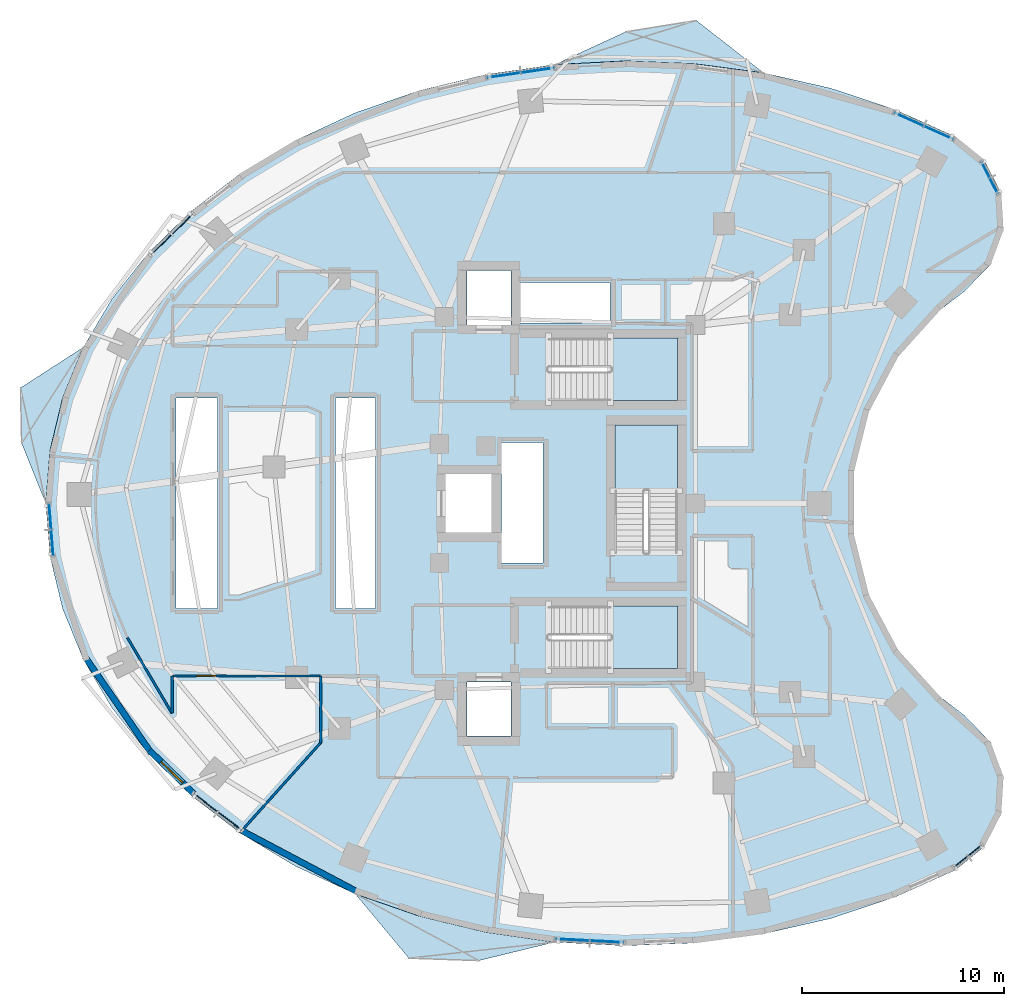
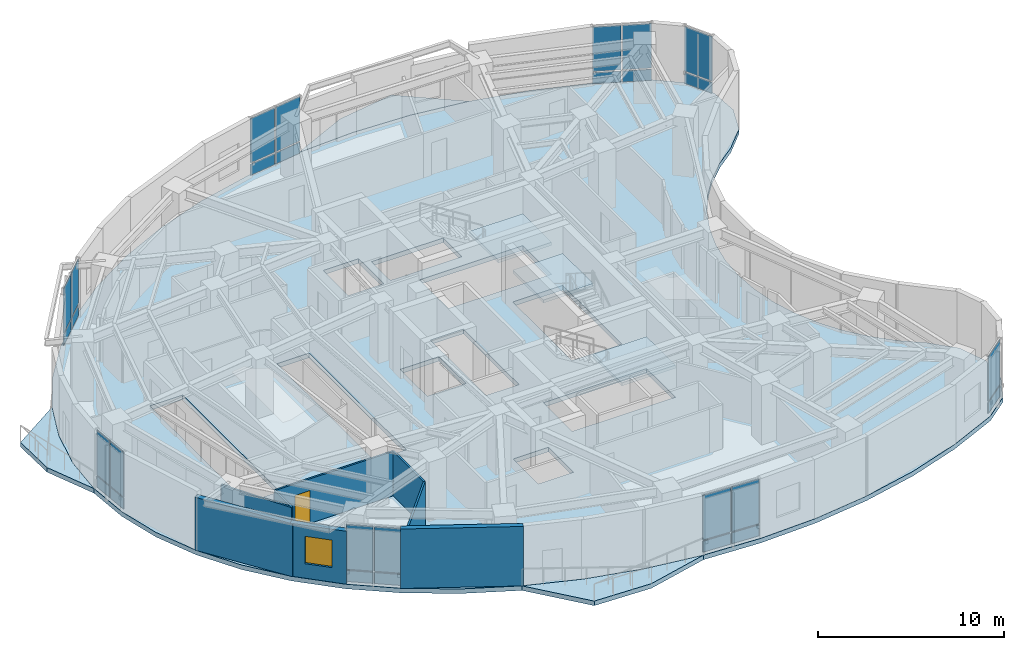
# One storey, part 7 of 15: 28 plates, 8 walls, 7 slabs, 1 door, 1 window, 2 openings, 11 elements without a shape of their own.
"""IFC4 building model written with IfcOpenShell, lengths in metres."""

from ifc_helpers import new_model, si_unit, direction, frame, frame_2d, origin, origin_2d, place, context, subcontext, project, spatial, polyline, rectangle, outline, extrude, material, layer, layer_set, type_object, element, fill, aggregate, save


model = new_model("IFC4")

# Units and contexts
model_context = context("Model", 3, precision=1e-05, world=origin(), true_north=direction((0.0, 1.0)))
body_context = subcontext(model_context, "Body", "Model", "MODEL_VIEW")
ifc_project = project(units=[si_unit("LENGTHUNIT", "METRE"), si_unit("AREAUNIT", "SQUARE_METRE"), si_unit("VOLUMEUNIT", "CUBIC_METRE"), si_unit("PLANEANGLEUNIT", "RADIAN"), si_unit("MASSUNIT", "GRAM", prefix="KILO")], contexts=[model_context])

# Site, building, storey
site_placement = place(None, origin())
site = spatial("IfcSite", under=ifc_project, at=site_placement, CompositionType="ELEMENT")
building_placement = place(site_placement, origin())
building = spatial("IfcBuilding", under=site, at=building_placement, Name="Korentha Bioscience Tower", CompositionType="ELEMENT")
storey_placement = place(building_placement, frame((0.0, 0.0, 94.199951171875)))
storey = spatial("IfcBuildingStorey", under=building, at=storey_placement, Name="L21", CompositionType="ELEMENT", Elevation=94.199951171875)

# Curtain wall, plates
ifc_material_1 = material(Name="Thermally Broken Aluminium Frame", Category="aluminium")
ifc_layer_1 = layer(ifc_material_1, 0.219970703125, Name="Thermally Broken Aluminium Frame")
ifc_layer_set_1 = layer_set([ifc_layer_1], Name="Thermally Broken Aluminium Frame (CW-T2)")
curtain_wall_type = type_object("IfcCurtainWallType", Name="Solar-Screened Lab Unitised Curtain Wall CW-T2", PredefinedType="USERDEFINED", material=ifc_layer_set_1)
curtain_wall_1_placement = place(storey_placement, origin())
curtain_wall_1 = element("IfcCurtainWall", 1, at=curtain_wall_1_placement, inside=storey, type_object=curtain_wall_type, Name="L21 Curtain Wall 01", ObjectType="UNITISED", PredefinedType="USERDEFINED")
ifc_material_2 = material(Name="Triple-Glazed Low-E Insulated Glass", Category="glass")
ifc_layer_2 = layer(ifc_material_2, 0.0439453125, Name="Triple-Glazed Low-E Insulated Glass")
ifc_layer_set_2 = layer_set([ifc_layer_2], Name="Triple-Glazed Low-E Insulated Glass (GL-44)")
plate_type = type_object("IfcPlateType", Name="Glazed Panel 44mm", PredefinedType="CURTAIN_PANEL", material=ifc_layer_set_2)
plate_1_placement = place(storey_placement, frame((49.61767578125, 45.385986328125, 0.08984375), z_axis=(0.0, 0.0, 1.0), x_axis=(-0.912686563127, 0.408660295952, 0.0)))
plate_1 = element("IfcPlate", 2, at=plate_1_placement, type_object=plate_type, Name="CW-L21-01 Bay 1 Glazed Panel 1", PredefinedType="CURTAIN_PANEL", context=body_context, shape_type="SweptSolid", body=[
    extrude(rectangle(XDim=1.54541015625, YDim=0.0439453125, at=origin_2d()), origin(), (0.0, 0.0, 1.0), 0.715087890625),
])
plate_2_placement = place(storey_placement, frame((49.61767578125, 45.385986328125, 0.89501953125), z_axis=(0.0, 0.0, 1.0), x_axis=(-0.912686563127, 0.408660295952, 0.0)))
plate_2 = element("IfcPlate", 3, at=plate_2_placement, type_object=plate_type, Name="CW-L21-01 Bay 1 Glazed Panel 2", PredefinedType="CURTAIN_PANEL", context=body_context, shape_type="SweptSolid", body=[
    extrude(rectangle(XDim=1.54541015625, YDim=0.0439453125, at=origin_2d()), origin(), (0.0, 0.0, 1.0), 2.9150390625),
])
plate_3_placement = place(storey_placement, frame((48.125, 46.05419921875, 0.08984375), z_axis=(0.0, 0.0, 1.0), x_axis=(-0.912686563127, 0.408660295952, 0.0)))
plate_3 = element("IfcPlate", 4, at=plate_3_placement, type_object=plate_type, Name="CW-L21-01 Bay 2 Glazed Panel 1", PredefinedType="CURTAIN_PANEL", context=body_context, shape_type="SweptSolid", body=[
    extrude(rectangle(XDim=1.54541015625, YDim=0.0439453125, at=origin_2d()), origin(), (0.0, 0.0, 1.0), 0.715087890625),
])
plate_4_placement = place(storey_placement, frame((48.125, 46.05419921875, 0.89501953125), z_axis=(0.0, 0.0, 1.0), x_axis=(-0.912686563127, 0.408660295952, 0.0)))
plate_4 = element("IfcPlate", 5, at=plate_4_placement, type_object=plate_type, Name="CW-L21-01 Bay 2 Glazed Panel 2", PredefinedType="CURTAIN_PANEL", context=body_context, shape_type="SweptSolid", body=[
    extrude(rectangle(XDim=1.54541015625, YDim=0.0439453125, at=origin_2d()), origin(), (0.0, 0.0, 1.0), 2.9150390625),
])
aggregate(curtain_wall_1, [plate_1, plate_2, plate_3, plate_4])

curtain_wall_2_placement = place(storey_placement, origin())
curtain_wall_2 = element("IfcCurtainWall", 6, at=curtain_wall_2_placement, inside=storey, type_object=curtain_wall_type, Name="L21 Curtain Wall 07", ObjectType="UNITISED", PredefinedType="USERDEFINED")
plate_5_placement = place(storey_placement, frame((29.724853515625, 48.486328125, 0.08984375), z_axis=(0.0, 0.0, 1.0), x_axis=(-0.989738282326, -0.14289203091, 0.0)))
plate_5 = element("IfcPlate", 7, at=plate_5_placement, type_object=plate_type, Name="CW-L21-07 Bay 1 Glazed Panel 1", PredefinedType="CURTAIN_PANEL", context=body_context, shape_type="SweptSolid", body=[
    extrude(rectangle(XDim=1.630615234375, YDim=0.0439453125, at=origin_2d()), origin(), (0.0, 0.0, 1.0), 0.715087890625),
])
plate_6_placement = place(storey_placement, frame((29.724853515625, 48.486328125, 0.89501953125), z_axis=(0.0, 0.0, 1.0), x_axis=(-0.989738282326, -0.14289203091, 0.0)))
plate_6 = element("IfcPlate", 8, at=plate_6_placement, type_object=plate_type, Name="CW-L21-07 Bay 1 Glazed Panel 2", PredefinedType="CURTAIN_PANEL", context=body_context, shape_type="SweptSolid", body=[
    extrude(rectangle(XDim=1.630615234375, YDim=0.0439453125, at=origin_2d()), origin(), (0.0, 0.0, 1.0), 2.9150390625),
])
plate_7_placement = place(storey_placement, frame((28.021728515625, 48.240478515625, 0.08984375), z_axis=(0.0, 0.0, 1.0), x_axis=(-0.989738282326, -0.14289203091, 0.0)))
plate_7 = element("IfcPlate", 9, at=plate_7_placement, type_object=plate_type, Name="CW-L21-07 Bay 2 Glazed Panel 1", PredefinedType="CURTAIN_PANEL", context=body_context, shape_type="SweptSolid", body=[
    extrude(rectangle(XDim=1.630615234375, YDim=0.0439453125, at=origin_2d()), origin(), (0.0, 0.0, 1.0), 0.715087890625),
])
plate_8_placement = place(storey_placement, frame((28.021728515625, 48.240478515625, 0.89501953125), z_axis=(0.0, 0.0, 1.0), x_axis=(-0.989738282326, -0.14289203091, 0.0)))
plate_8 = element("IfcPlate", 10, at=plate_8_placement, type_object=plate_type, Name="CW-L21-07 Bay 2 Glazed Panel 2", PredefinedType="CURTAIN_PANEL", context=body_context, shape_type="SweptSolid", body=[
    extrude(rectangle(XDim=1.630615234375, YDim=0.0439453125, at=origin_2d()), origin(), (0.0, 0.0, 1.0), 2.9150390625),
])
aggregate(curtain_wall_2, [plate_5, plate_6, plate_7, plate_8])

curtain_wall_3_placement = place(storey_placement, origin())
curtain_wall_3 = element("IfcCurtainWall", 11, at=curtain_wall_3_placement, inside=storey, type_object=curtain_wall_type, Name="L21 Curtain Wall 13", ObjectType="UNITISED", PredefinedType="USERDEFINED")
plate_9_placement = place(storey_placement, frame((12.09912109375, 40.858642578125, 0.08984375), z_axis=(0.0, 0.0, 1.0), x_axis=(-0.716095631804, -0.698002182025, 0.0)))
plate_9 = element("IfcPlate", 12, at=plate_9_placement, type_object=plate_type, Name="CW-L21-13 Bay 1 Glazed Panel 1", PredefinedType="CURTAIN_PANEL", context=body_context, shape_type="SweptSolid", body=[
    extrude(rectangle(XDim=1.39599609375, YDim=0.0439453125, at=origin_2d()), origin(), (0.0, 0.0, 1.0), 0.715087890625),
])
plate_10_placement = place(storey_placement, frame((12.09912109375, 40.858642578125, 0.89501953125), z_axis=(0.0, 0.0, 1.0), x_axis=(-0.716095631804, -0.698002182025, 0.0)))
plate_10 = element("IfcPlate", 13, at=plate_10_placement, type_object=plate_type, Name="CW-L21-13 Bay 1 Glazed Panel 2", PredefinedType="CURTAIN_PANEL", context=body_context, shape_type="SweptSolid", body=[
    extrude(rectangle(XDim=1.39599609375, YDim=0.0439453125, at=origin_2d()), origin(), (0.0, 0.0, 1.0), 2.9150390625),
])
plate_11_placement = place(storey_placement, frame((11.034912109375, 39.8212890625, 0.08984375), z_axis=(0.0, 0.0, 1.0), x_axis=(-0.716095631804, -0.698002182025, 0.0)))
plate_11 = element("IfcPlate", 14, at=plate_11_placement, type_object=plate_type, Name="CW-L21-13 Bay 2 Glazed Panel 1", PredefinedType="CURTAIN_PANEL", context=body_context, shape_type="SweptSolid", body=[
    extrude(rectangle(XDim=1.39599609375, YDim=0.0439453125, at=origin_2d()), origin(), (0.0, 0.0, 1.0), 0.715087890625),
])
plate_12_placement = place(storey_placement, frame((11.034912109375, 39.8212890625, 0.89501953125), z_axis=(0.0, 0.0, 1.0), x_axis=(-0.716095631804, -0.698002182025, 0.0)))
plate_12 = element("IfcPlate", 15, at=plate_12_placement, type_object=plate_type, Name="CW-L21-13 Bay 2 Glazed Panel 2", PredefinedType="CURTAIN_PANEL", context=body_context, shape_type="SweptSolid", body=[
    extrude(rectangle(XDim=1.39599609375, YDim=0.0439453125, at=origin_2d()), origin(), (0.0, 0.0, 1.0), 2.9150390625),
])
aggregate(curtain_wall_3, [plate_9, plate_10, plate_11, plate_12])

curtain_wall_4_placement = place(storey_placement, origin())
curtain_wall_4 = element("IfcCurtainWall", 16, at=curtain_wall_4_placement, inside=storey, type_object=curtain_wall_type, Name="L21 Curtain Wall 19", ObjectType="UNITISED", PredefinedType="USERDEFINED")
plate_13_placement = place(storey_placement, frame((5.52587890625, 26.35205078125, 0.08984375), z_axis=(0.0, 0.0, 1.0), x_axis=(0.079130214674, -0.996864288219, 0.0)))
plate_13 = element("IfcPlate", 17, at=plate_13_placement, type_object=plate_type, Name="CW-L21-19 Bay 1 Glazed Panel 1", PredefinedType="CURTAIN_PANEL", context=body_context, shape_type="SweptSolid", body=[
    extrude(rectangle(XDim=1.225341796875, YDim=0.0439453125, at=origin_2d()), origin(), (0.0, 0.0, 1.0), 0.715087890625),
])
plate_14_placement = place(storey_placement, frame((5.52587890625, 26.35205078125, 0.89501953125), z_axis=(0.0, 0.0, 1.0), x_axis=(0.079130214674, -0.996864288219, 0.0)))
plate_14 = element("IfcPlate", 18, at=plate_14_placement, type_object=plate_type, Name="CW-L21-19 Bay 1 Glazed Panel 2", PredefinedType="CURTAIN_PANEL", context=body_context, shape_type="SweptSolid", body=[
    extrude(rectangle(XDim=1.225341796875, YDim=0.0439453125, at=origin_2d()), origin(), (0.0, 0.0, 1.0), 2.9150390625),
])
plate_15_placement = place(storey_placement, frame((5.6298828125, 25.040771484375, 0.08984375), z_axis=(0.0, 0.0, 1.0), x_axis=(0.079130214674, -0.996864288219, 0.0)))
plate_15 = element("IfcPlate", 19, at=plate_15_placement, type_object=plate_type, Name="CW-L21-19 Bay 2 Glazed Panel 1", PredefinedType="CURTAIN_PANEL", context=body_context, shape_type="SweptSolid", body=[
    extrude(rectangle(XDim=1.225341796875, YDim=0.0439453125, at=origin_2d()), origin(), (0.0, 0.0, 1.0), 0.715087890625),
])
plate_16_placement = place(storey_placement, frame((5.6298828125, 25.040771484375, 0.89501953125), z_axis=(0.0, 0.0, 1.0), x_axis=(0.079130214674, -0.996864288219, 0.0)))
plate_16 = element("IfcPlate", 20, at=plate_16_placement, type_object=plate_type, Name="CW-L21-19 Bay 2 Glazed Panel 2", PredefinedType="CURTAIN_PANEL", context=body_context, shape_type="SweptSolid", body=[
    extrude(rectangle(XDim=1.225341796875, YDim=0.0439453125, at=origin_2d()), origin(), (0.0, 0.0, 1.0), 2.9150390625),
])
aggregate(curtain_wall_4, [plate_13, plate_14, plate_15, plate_16])

curtain_wall_5_placement = place(storey_placement, origin())
curtain_wall_5 = element("IfcCurtainWall", 21, at=curtain_wall_5_placement, inside=storey, type_object=curtain_wall_type, Name="L21 Curtain Wall 25", ObjectType="UNITISED", PredefinedType="USERDEFINED")
plate_17_placement = place(storey_placement, frame((13.234619140625, 12.162353515625, 0.08984375), z_axis=(0.0, 0.0, 1.0), x_axis=(0.794499603893, -0.607264669986, 0.0)))
plate_17 = element("IfcPlate", 22, at=plate_17_placement, type_object=plate_type, Name="CW-L21-25 Bay 1 Glazed Panel 1", PredefinedType="CURTAIN_PANEL", context=body_context, shape_type="SweptSolid", body=[
    extrude(rectangle(XDim=1.4462890625, YDim=0.0439453125, at=origin_2d()), origin(), (0.0, 0.0, 1.0), 0.715087890625),
])
plate_18_placement = place(storey_placement, frame((13.234619140625, 12.162353515625, 0.89501953125), z_axis=(0.0, 0.0, 1.0), x_axis=(0.794499603893, -0.607264669986, 0.0)))
plate_18 = element("IfcPlate", 23, at=plate_18_placement, type_object=plate_type, Name="CW-L21-25 Bay 1 Glazed Panel 2", PredefinedType="CURTAIN_PANEL", context=body_context, shape_type="SweptSolid", body=[
    extrude(rectangle(XDim=1.4462890625, YDim=0.0439453125, at=origin_2d()), origin(), (0.0, 0.0, 1.0), 2.9150390625),
])
plate_19_placement = place(storey_placement, frame((14.455078125, 11.229248046875, 0.08984375), z_axis=(0.0, 0.0, 1.0), x_axis=(0.794499603893, -0.607264669986, 0.0)))
plate_19 = element("IfcPlate", 24, at=plate_19_placement, type_object=plate_type, Name="CW-L21-25 Bay 2 Glazed Panel 1", PredefinedType="CURTAIN_PANEL", context=body_context, shape_type="SweptSolid", body=[
    extrude(rectangle(XDim=1.4462890625, YDim=0.0439453125, at=origin_2d()), origin(), (0.0, 0.0, 1.0), 0.715087890625),
])
plate_20_placement = place(storey_placement, frame((14.455078125, 11.229248046875, 0.89501953125), z_axis=(0.0, 0.0, 1.0), x_axis=(0.794499603893, -0.607264669986, 0.0)))
plate_20 = element("IfcPlate", 25, at=plate_20_placement, type_object=plate_type, Name="CW-L21-25 Bay 2 Glazed Panel 2", PredefinedType="CURTAIN_PANEL", context=body_context, shape_type="SweptSolid", body=[
    extrude(rectangle(XDim=1.4462890625, YDim=0.0439453125, at=origin_2d()), origin(), (0.0, 0.0, 1.0), 2.9150390625),
])
aggregate(curtain_wall_5, [plate_17, plate_18, plate_19, plate_20])

curtain_wall_6_placement = place(storey_placement, origin())
curtain_wall_6 = element("IfcCurtainWall", 26, at=curtain_wall_6_placement, inside=storey, type_object=curtain_wall_type, Name="L21 Curtain Wall 31", ObjectType="UNITISED", PredefinedType="USERDEFINED")
plate_21_placement = place(storey_placement, frame((31.436279296875, 5.346435546875, 0.08984375), z_axis=(0.0, 0.0, 1.0), x_axis=(0.998673231344, -0.051495407527, 0.0)))
plate_21 = element("IfcPlate", 27, at=plate_21_placement, type_object=plate_type, Name="CW-L21-31 Bay 1 Glazed Panel 1", PredefinedType="CURTAIN_PANEL", context=body_context, shape_type="SweptSolid", body=[
    extrude(rectangle(XDim=1.641845703125, YDim=0.0439453125, at=origin_2d()), origin(), (0.0, 0.0, 1.0), 0.715087890625),
])
plate_22_placement = place(storey_placement, frame((31.436279296875, 5.346435546875, 0.89501953125), z_axis=(0.0, 0.0, 1.0), x_axis=(0.998673231344, -0.051495407527, 0.0)))
plate_22 = element("IfcPlate", 28, at=plate_22_placement, type_object=plate_type, Name="CW-L21-31 Bay 1 Glazed Panel 2", PredefinedType="CURTAIN_PANEL", context=body_context, shape_type="SweptSolid", body=[
    extrude(rectangle(XDim=1.641845703125, YDim=0.0439453125, at=origin_2d()), origin(), (0.0, 0.0, 1.0), 2.9150390625),
])
plate_23_placement = place(storey_placement, frame((33.166015625, 5.25732421875, 0.08984375), z_axis=(0.0, 0.0, 1.0), x_axis=(0.998673231344, -0.051495407527, 0.0)))
plate_23 = element("IfcPlate", 29, at=plate_23_placement, type_object=plate_type, Name="CW-L21-31 Bay 2 Glazed Panel 1", PredefinedType="CURTAIN_PANEL", context=body_context, shape_type="SweptSolid", body=[
    extrude(rectangle(XDim=1.641845703125, YDim=0.0439453125, at=origin_2d()), origin(), (0.0, 0.0, 1.0), 0.715087890625),
])
plate_24_placement = place(storey_placement, frame((33.166015625, 5.25732421875, 0.89501953125), z_axis=(0.0, 0.0, 1.0), x_axis=(0.998673231344, -0.051495407527, 0.0)))
plate_24 = element("IfcPlate", 30, at=plate_24_placement, type_object=plate_type, Name="CW-L21-31 Bay 2 Glazed Panel 2", PredefinedType="CURTAIN_PANEL", context=body_context, shape_type="SweptSolid", body=[
    extrude(rectangle(XDim=1.641845703125, YDim=0.0439453125, at=origin_2d()), origin(), (0.0, 0.0, 1.0), 2.9150390625),
])
aggregate(curtain_wall_6, [plate_21, plate_22, plate_23, plate_24])

curtain_wall_7_placement = place(storey_placement, origin())
curtain_wall_7 = element("IfcCurtainWall", 31, at=curtain_wall_7_placement, inside=storey, type_object=curtain_wall_type, Name="L21 Curtain Wall 37", ObjectType="UNITISED", PredefinedType="USERDEFINED")
plate_25_placement = place(storey_placement, frame((51.04736328125, 9.506591796875, 0.08984375), z_axis=(0.0, 0.0, 1.0), x_axis=(0.777315301098, 0.629111216463, 0.0)))
plate_25 = element("IfcPlate", 32, at=plate_25_placement, type_object=plate_type, Name="CW-L21-37 Bay 1 Glazed Panel 1", PredefinedType="CURTAIN_PANEL", context=body_context, shape_type="SweptSolid", body=[
    extrude(rectangle(XDim=1.737548828125, YDim=0.0439453125, at=origin_2d()), origin(), (0.0, 0.0, 1.0), 0.715087890625),
])
plate_26_placement = place(storey_placement, frame((51.04736328125, 9.506591796875, 0.89501953125), z_axis=(0.0, 0.0, 1.0), x_axis=(0.777315301098, 0.629111216463, 0.0)))
plate_26 = element("IfcPlate", 33, at=plate_26_placement, type_object=plate_type, Name="CW-L21-37 Bay 1 Glazed Panel 2", PredefinedType="CURTAIN_PANEL", context=body_context, shape_type="SweptSolid", body=[
    extrude(rectangle(XDim=1.737548828125, YDim=0.0439453125, at=origin_2d()), origin(), (0.0, 0.0, 1.0), 2.9150390625),
])
aggregate(curtain_wall_7, [plate_25, plate_26])

curtain_wall_8_placement = place(storey_placement, origin())
curtain_wall_8 = element("IfcCurtainWall", 34, at=curtain_wall_8_placement, inside=storey, type_object=curtain_wall_type, Name="L21 Curtain Wall 61", ObjectType="UNITISED", PredefinedType="USERDEFINED")
plate_27_placement = place(storey_placement, frame((52.140380859375, 43.149658203125, 0.08984375), z_axis=(0.0, 0.0, 1.0), x_axis=(-0.457613117169, 0.889151412862, 0.0)))
plate_27 = element("IfcPlate", 35, at=plate_27_placement, type_object=plate_type, Name="CW-L21-61 Bay 1 Glazed Panel 1", PredefinedType="CURTAIN_PANEL", context=body_context, shape_type="SweptSolid", body=[
    extrude(rectangle(XDim=1.737548828125, YDim=0.0439453125, at=origin_2d()), origin(), (0.0, 0.0, 1.0), 0.715087890625),
])
plate_28_placement = place(storey_placement, frame((52.140380859375, 43.149658203125, 0.89501953125), z_axis=(0.0, 0.0, 1.0), x_axis=(-0.457613117169, 0.889151412862, 0.0)))
plate_28 = element("IfcPlate", 36, at=plate_28_placement, type_object=plate_type, Name="CW-L21-61 Bay 1 Glazed Panel 2", PredefinedType="CURTAIN_PANEL", context=body_context, shape_type="SweptSolid", body=[
    extrude(rectangle(XDim=1.737548828125, YDim=0.0439453125, at=origin_2d()), origin(), (0.0, 0.0, 1.0), 2.9150390625),
])
aggregate(curtain_wall_8, [plate_27, plate_28])

# Slab
ifc_material_3 = material(Name="Concrete C50", Category="concrete")
ifc_layer_3 = layer(ifc_material_3, 0.300048828125, Name="Concrete C50")
ifc_layer_set_3 = layer_set([ifc_layer_3], Name="Concrete C50 (SL-L300)")
slab_type_1 = type_object("IfcSlabType", Name="Laboratory Vibration-Controlled Slab 300", PredefinedType="FLOOR", material=ifc_layer_set_3)
slab_1_placement = place(storey_placement, frame((0.0, 0.0, -0.300048828125)))
element("IfcSlab", 37, at=slab_1_placement, inside=storey, type_object=slab_type_1, Name="L21 Tower Structural Floor Slab", PredefinedType="FLOOR", context=body_context, shape_type="SweptSolid", body=[
    extrude(outline(polyline([(50.433837890625, 45.19580078125), (47.439697265625, 46.53662109375), (44.2548828125, 47.59521484375), (40.925537109375, 48.3564453125), (37.5, 48.809326171875), (34.027587890625, 48.947265625), (30.558349609375, 48.7685546875), (27.142333984375, 48.275390625), (23.8291015625, 47.474853515625), (20.66650390625, 46.37890625), (17.69970703125, 45.003173828125), (14.972412109375, 43.367431640625), (12.52294921875, 41.495361328125), (10.3876953125, 39.413818359375), (8.5966796875, 37.1533203125), (7.17626953125, 34.74609375), (6.146484375, 32.22705078125), (5.52294921875, 29.632568359375), (5.31396484375, 27.0), (5.52294921875, 24.367431640625), (6.146484375, 21.77294921875), (7.17626953125, 19.25390625), (8.5966796875, 16.8466796875), (10.3876953125, 14.586181640625), (12.52294921875, 12.504638671875), (14.972412109375, 10.632568359375), (17.69970703125, 8.996826171875), (20.66650390625, 7.62109375), (23.8291015625, 6.525146484375), (27.142333984375, 5.724609375), (30.558349609375, 5.2314453125), (34.027587890625, 5.052734375), (37.5, 5.190673828125), (40.925537109375, 5.6435546875), (44.2548828125, 6.40478515625), (47.439697265625, 7.46337890625), (50.433837890625, 8.80419921875), (51.8623046875, 9.960205078125), (52.703125, 11.593994140625), (52.813720703125, 13.42822265625), (52.175537109375, 15.1513671875), (50.896484375, 16.470703125), (49.666259765625, 17.414794921875), (48.560302734375, 18.501708984375), (47.594970703125, 19.715087890625), (46.78466796875, 21.037353515625), (46.1416015625, 22.448486328125), (45.67529296875, 23.927490234375), (45.392578125, 25.4521484375), (45.298095703125, 27.0), (45.392578125, 28.5478515625), (45.67529296875, 30.072509765625), (46.1416015625, 31.551513671875), (46.78466796875, 32.962646484375), (47.594970703125, 34.284912109375), (48.560302734375, 35.498291015625), (49.666259765625, 36.585205078125), (50.896484375, 37.529296875), (52.175537109375, 38.8486328125), (52.813720703125, 40.57177734375), (52.703125, 42.406005859375), (51.8623046875, 44.039794921875), (50.433837890625, 45.19580078125)]), holes=[polyline([(30.25, 32.10009765625), (36.64990234375, 32.10009765625), (36.64990234375, 35.199951171875), (30.25, 35.199951171875), (30.25, 32.10009765625)]), polyline([(30.25, 18.800048828125), (36.64990234375, 18.800048828125), (36.64990234375, 21.89990234375), (30.25, 21.89990234375), (30.25, 18.800048828125)]), polyline([(36.64990234375, 24.550048828125), (36.64990234375, 30.89990234375), (33.550048828125, 30.89990234375), (33.550048828125, 24.550048828125), (36.64990234375, 24.550048828125)]), polyline([(11.780029296875, 21.780029296875), (13.820068359375, 21.780029296875), (13.820068359375, 32.219970703125), (11.780029296875, 32.219970703125), (11.780029296875, 21.780029296875)]), polyline([(19.679931640625, 21.780029296875), (21.669921875, 21.780029296875), (21.669921875, 32.219970703125), (19.679931640625, 32.219970703125), (19.679931640625, 21.780029296875)]), polyline([(27.929931640625, 24.030029296875), (29.969970703125, 24.030029296875), (29.969970703125, 30.02001953125), (27.929931640625, 30.02001953125), (27.929931640625, 24.030029296875)]), polyline([(28.860107421875, 35.93994140625), (33.31005859375, 35.93994140625), (33.31005859375, 37.9599609375), (28.860107421875, 37.9599609375), (28.860107421875, 35.93994140625)]), polyline([(26.199951171875, 15.449951171875), (28.39990234375, 15.449951171875), (28.39990234375, 18.14990234375), (26.199951171875, 18.14990234375), (26.199951171875, 15.449951171875)]), polyline([(26.199951171875, 35.85009765625), (28.39990234375, 35.85009765625), (28.39990234375, 38.550048828125), (26.199951171875, 38.550048828125), (26.199951171875, 35.85009765625)]), polyline([(25.14990234375, 25.550048828125), (27.550048828125, 25.550048828125), (27.550048828125, 28.449951171875), (25.14990234375, 28.449951171875), (25.14990234375, 25.550048828125)])]), origin(), (0.0, 0.0, 1.0), 0.300048828125),
])

# Stair, slab
ifc_material_4 = material(Name="Precast Concrete C50", Category="concrete")
stair_type = type_object("IfcStairType", Name="Core Exit Dog-Leg Stair 1450", PredefinedType="HALF_TURN_STAIR", material=ifc_material_4)
stair_1_placement = place(storey_placement, origin())
stair_1 = element("IfcStair", 38, at=stair_1_placement, inside=storey, type_object=stair_type, Name="L21 Tower North Pressurized Exit Stair ST-1", PredefinedType="HALF_TURN_STAIR")
ifc_layer_4 = layer(ifc_material_3, 0.199951171875, Name="Concrete C50")
ifc_layer_set_4 = layer_set([ifc_layer_4], Name="Concrete C50 (SL-LND)")
slab_type_2 = type_object("IfcSlabType", Name="Landing Slab 200", PredefinedType="LANDING", material=ifc_layer_set_4)
slab_2_placement = place(storey_placement, frame((0.0, 0.0, 1.900146484375)))
slab_2 = element("IfcSlab", 39, at=slab_2_placement, type_object=slab_type_2, Name="ST-1 landing 1", PredefinedType="LANDING", context=body_context, shape_type="SweptSolid", body=[
    extrude(outline(polyline([(33.330078125, 32.10009765625), (36.64990234375, 32.10009765625), (36.64990234375, 35.199951171875), (33.330078125, 35.199951171875), (33.330078125, 32.10009765625)])), origin(), (0.0, 0.0, 1.0), 0.199951171875),
])
aggregate(stair_1, [slab_2])

stair_2_placement = place(storey_placement, origin())
stair_2 = element("IfcStair", 40, at=stair_2_placement, inside=storey, type_object=stair_type, Name="L21 Tower South Pressurized Exit Stair ST-2", PredefinedType="HALF_TURN_STAIR")
slab_3_placement = place(storey_placement, frame((0.0, 0.0, 1.900146484375)))
slab_3 = element("IfcSlab", 41, at=slab_3_placement, type_object=slab_type_2, Name="ST-2 landing 1", PredefinedType="LANDING", context=body_context, shape_type="SweptSolid", body=[
    extrude(outline(polyline([(33.330078125, 18.800048828125), (36.64990234375, 18.800048828125), (36.64990234375, 21.89990234375), (33.330078125, 21.89990234375), (33.330078125, 18.800048828125)])), origin(), (0.0, 0.0, 1.0), 0.199951171875),
])
aggregate(stair_2, [slab_3])

stair_3_placement = place(storey_placement, origin())
stair_3 = element("IfcStair", 42, at=stair_3_placement, inside=storey, type_object=stair_type, Name="L21 Tower Central Pressurized Exit Stair ST-3", PredefinedType="HALF_TURN_STAIR")
slab_4_placement = place(storey_placement, frame((0.0, 0.0, 1.900146484375)))
slab_4 = element("IfcSlab", 43, at=slab_4_placement, type_object=slab_type_2, Name="ST-3 landing 1", PredefinedType="LANDING", context=body_context, shape_type="SweptSolid", body=[
    extrude(outline(polyline([(36.64990234375, 27.6298828125), (36.64990234375, 30.89990234375), (33.550048828125, 30.89990234375), (33.550048828125, 27.6298828125), (36.64990234375, 27.6298828125)])), origin(), (0.0, 0.0, 1.0), 0.199951171875),
])
aggregate(stair_3, [slab_4])

# Slabs
ifc_layer_5 = layer(ifc_material_3, 0.300048828125, Name="Concrete C50")
ifc_layer_set_5 = layer_set([ifc_layer_5], Name="Concrete C50 (BS-240)")
slab_type_3 = type_object("IfcSlabType", Name="Sawtooth Sun-Ledge Balcony Slab 240", PredefinedType="USERDEFINED", material=ifc_layer_set_5)
slab_5_placement = place(storey_placement, frame((0.0, 0.0, -0.300048828125)))
element("IfcSlab", 44, at=slab_5_placement, inside=storey, type_object=slab_type_3, Name="L21 Sun-Ledge Balcony 01", ObjectType="BALCONY", PredefinedType="USERDEFINED", context=body_context, shape_type="SweptSolid", body=[
    extrude(outline(polyline([(30.558349609375, 48.7685546875), (34.027587890625, 48.947265625), (37.5, 48.809326171875), (40.925537109375, 48.3564453125), (37.58544921875, 50.95751953125), (34.085205078125, 50.396240234375), (30.558349609375, 48.7685546875)])), origin(), (0.0, 0.0, 1.0), 0.300048828125),
])
slab_6_placement = place(storey_placement, frame((0.0, 0.0, -0.300048828125)))
element("IfcSlab", 45, at=slab_6_placement, inside=storey, type_object=slab_type_3, Name="L21 Sun-Ledge Balcony 02", ObjectType="BALCONY", PredefinedType="USERDEFINED", context=body_context, shape_type="SweptSolid", body=[
    extrude(outline(polyline([(5.31396484375, 27.0), (5.52294921875, 29.632568359375), (6.146484375, 32.22705078125), (7.17626953125, 34.74609375), (4.05615234375, 32.729736328125), (4.113037109375, 29.971435546875), (5.31396484375, 27.0)])), origin(), (0.0, 0.0, 1.0), 0.300048828125),
])
slab_7_placement = place(storey_placement, frame((0.0, 0.0, -0.300048828125)))
element("IfcSlab", 46, at=slab_7_placement, inside=storey, type_object=slab_type_3, Name="L21 Sun-Ledge Balcony 03", ObjectType="BALCONY", PredefinedType="USERDEFINED", context=body_context, shape_type="SweptSolid", body=[
    extrude(outline(polyline([(30.558349609375, 5.2314453125), (27.142333984375, 5.724609375), (23.8291015625, 6.525146484375), (20.66650390625, 7.62109375), (23.32421875, 4.435302734375), (26.802001953125, 4.315185546875), (30.558349609375, 5.2314453125)])), origin(), (0.0, 0.0, 1.0), 0.300048828125),
])

# Wall, opening, door
ifc_material_5 = material(Name="Fire-Rated Framed Glass", Category="glass")
ifc_layer_6 = layer(ifc_material_5, 0.110107421875, Name="Fire-Rated Framed Glass")
ifc_layer_set_6 = layer_set([ifc_layer_6], Name="Fire-Rated Framed Glass (IW-G110)")
wall_type_1 = type_object("IfcWallType", Name="Demountable Glazed Office Partition 110", PredefinedType="MOVABLE", material=ifc_layer_set_6)
wall_1_placement = place(storey_placement, frame((11.590087890625, 18.43994140625, 0.0), z_axis=(0.0, 0.0, 1.0), x_axis=(1.0, 0.0, 0.0)))
wall_1 = element("IfcWall", 47, at=wall_1_placement, inside=storey, type_object=wall_type_1, Name="L21 Principal Investigator Office 01 Entrance Wall", PredefinedType="MOVABLE", context=body_context, shape_type="SweptSolid", body=[
    extrude(rectangle(XDim=7.35791015625, YDim=0.110107421875, at=frame_2d((3.678955078125, 0.0))), origin(), (0.0, 0.0, 1.0), 2.91015625),
])
opening_1_placement = place(wall_1_placement, frame((1.206298828125, 0.0, 0.0)))
opening_1 = element("IfcOpeningElement", 48, at=opening_1_placement, cuts=wall_1, Name="Opening ID-10L", PredefinedType="OPENING", context=body_context, shape_type="SweptSolid", body=[
    extrude(rectangle(XDim=0.949951171875, YDim=2.14990234375, at=frame_2d((0.47509765625, 1.074951171875))), frame((0.0, 0.06982421875, 0.0), z_axis=(0.0, -1.0, 0.0), x_axis=(1.0, 0.0, 0.0)), (0.0, 0.0, 1.0), 0.139892578125),
])
ifc_material_6 = material(Name="Phenolic Laminate Timber Core", Category="wood")
door_type = type_object("IfcDoorType", Name="Laboratory Single Leaf Door 950x2150 Left", OperationType="SINGLE_SWING_LEFT", PredefinedType="DOOR", material=ifc_material_6)
door_placement = place(opening_1_placement, origin())
door = element("IfcDoor", 49, at=door_placement, inside=storey, type_object=door_type, Name="L21 Principal Investigator Office 01 Door", OperationType="SINGLE_SWING_LEFT", OverallHeight=2.14990234375, OverallWidth=0.949951171875, PredefinedType="DOOR", context=body_context, shape_type="SweptSolid", body=[
    extrude(rectangle(XDim=0.949951171875, YDim=2.14990234375, at=frame_2d((0.47509765625, 1.074951171875))), frame((0.0, 0.02490234375, 0.0), z_axis=(0.0, -1.0, 0.0), x_axis=(1.0, 0.0, 0.0)), (0.0, 0.0, 1.0), 0.050048828125),
])
fill(opening_1, door)

# Walls
wall_2_placement = place(storey_placement, frame((9.359130859375, 20.336181640625, 0.0), z_axis=(0.0, 0.0, 1.0), x_axis=(0.508164254342, -0.86126017591, 0.0)))
element("IfcWall", 50, at=wall_2_placement, inside=storey, type_object=wall_type_1, Name="L21 Interior Partition 025", PredefinedType="MOVABLE", context=body_context, shape_type="SweptSolid", body=[
    extrude(rectangle(XDim=4.353271484375, YDim=0.110107421875, at=frame_2d((2.1767578125, 0.0))), origin(), (0.0, 0.0, 1.0), 2.91015625),
])
wall_3_placement = place(storey_placement, frame((11.590087890625, 16.592041015625, 0.0), z_axis=(0.0, 0.0, 1.0), x_axis=(0.0, 1.0, 0.0)))
element("IfcWall", 51, at=wall_3_placement, inside=storey, type_object=wall_type_1, Name="L21 Interior Partition 026", PredefinedType="MOVABLE", context=body_context, shape_type="SweptSolid", body=[
    extrude(rectangle(XDim=1.847900390625, YDim=0.110107421875, at=frame_2d((0.923828125, 0.0))), origin(), (0.0, 0.0, 1.0), 2.91015625),
])
wall_4_placement = place(storey_placement, frame((18.947998046875, 18.43994140625, 0.0), z_axis=(0.0, 0.0, 1.0), x_axis=(0.0, -1.0, 0.0)))
element("IfcWall", 52, at=wall_4_placement, inside=storey, type_object=wall_type_1, Name="L21 Interior Partition 027", PredefinedType="MOVABLE", context=body_context, shape_type="SweptSolid", body=[
    extrude(rectangle(XDim=3.317138671875, YDim=0.110107421875, at=frame_2d((1.65869140625, 0.0))), origin(), (0.0, 0.0, 1.0), 2.91015625),
])
wall_5_placement = place(storey_placement, frame((18.947998046875, 15.12255859375, 0.0), z_axis=(0.0, 0.0, 1.0), x_axis=(-0.667833771006, -0.744310455592, 0.0)))
element("IfcWall", 53, at=wall_5_placement, inside=storey, type_object=wall_type_1, Name="L21 Interior Partition 028", PredefinedType="MOVABLE", context=body_context, shape_type="SweptSolid", body=[
    extrude(rectangle(XDim=5.979248046875, YDim=0.110107421875, at=frame_2d((2.98974609375, 0.0))), origin(), (0.0, 0.0, 1.0), 2.91015625),
])

# Wall, opening, window
ifc_material_7 = material(Name="Honed Limestone Precast Concrete C40", Category="masonry")
ifc_layer_7 = layer(ifc_material_7, 0.300048828125, Name="Honed Limestone Precast Concrete C40")
ifc_layer_set_7 = layer_set([ifc_layer_7], Name="Honed Limestone Precast Concrete C40 (EW-ST300)")
wall_type_2 = type_object("IfcWallType", Name="Honed Limestone Cavity Spandrel Wall 300", PredefinedType="STANDARD", material=ifc_layer_set_7)
wall_6_placement = place(storey_placement, frame((10.456298828125, 14.74267578125, 0.0), z_axis=(0.0, 0.0, 1.0), x_axis=(0.716099460419, -0.697998254144, 0.0)))
wall_6 = element("IfcWall", 54, at=wall_6_placement, inside=storey, type_object=wall_type_2, Name="L21 Honed Limestone Spandrel Wall 24", PredefinedType="STANDARD", context=body_context, shape_type="SweptSolid", body=[
    extrude(rectangle(XDim=3.10205078125, YDim=0.300048828125, at=frame_2d((1.551025390625, 0.0))), origin(), (0.0, 0.0, 1.0), 3.469970703125),
])
opening_2_placement = place(wall_6_placement, frame((0.801025390625, 0.0, 0.949951171875)))
opening_2 = element("IfcOpeningElement", 55, at=opening_2_placement, cuts=wall_6, Name="Opening WN-02", PredefinedType="OPENING", context=body_context, shape_type="SweptSolid", body=[
    extrude(rectangle(XDim=1.5, YDim=1.800048828125, at=frame_2d((0.75, 0.89990234375))), frame((0.0, 0.1650390625, 0.0), z_axis=(0.0, -1.0, 0.0), x_axis=(1.0, 0.0, 0.0)), (0.0, 0.0, 1.0), 0.329833984375),
])
ifc_material_8 = material(Name="Thermally Broken Aluminium Triple Glazing", Category="aluminium")
window_type = type_object("IfcWindowType", Name="Acoustic Operable Office Window 1500x1800", PartitioningType="DOUBLE_PANEL_VERTICAL", PredefinedType="WINDOW", material=ifc_material_8)
window_placement = place(opening_2_placement, origin())
window = element("IfcWindow", 56, at=window_placement, inside=storey, type_object=window_type, Name="L21 Facade Window 24", OverallHeight=1.800048828125, OverallWidth=1.5, PartitioningType="DOUBLE_PANEL_VERTICAL", PredefinedType="WINDOW", context=body_context, shape_type="SweptSolid", body=[
    extrude(rectangle(XDim=1.5, YDim=1.800048828125, at=frame_2d((0.75, 0.89990234375))), frame((0.0, 0.030029296875, 0.0), z_axis=(0.0, -1.0, 0.0), x_axis=(1.0, 0.0, 0.0)), (0.0, 0.0, 1.0), 0.06005859375),
])
fill(opening_2, window)

# Walls
wall_7_placement = place(storey_placement, frame((7.24609375, 19.399169921875, 0.0), z_axis=(0.0, 0.0, 1.0), x_axis=(0.566825798999, -0.823837674296, 0.0)))
element("IfcWall", 57, at=wall_7_placement, inside=storey, type_object=wall_type_2, Name="L21 Limestone Perimeter Closure Wall 22", PredefinedType="STANDARD", context=body_context, shape_type="SweptSolid", body=[
    extrude(rectangle(XDim=5.825927734375, YDim=0.300048828125, at=frame_2d((2.9130859375, 0.0))), origin(), (0.0, 0.0, 1.0), 3.469970703125),
])
wall_8_placement = place(storey_placement, frame((14.967041015625, 10.793701171875, 0.0), z_axis=(0.0, 0.0, 1.0), x_axis=(0.883986649445, -0.467512142734, 0.0)))
element("IfcWall", 58, at=wall_8_placement, inside=storey, type_object=wall_type_2, Name="L21 Limestone Perimeter Closure Wall 26", PredefinedType="STANDARD", context=body_context, shape_type="SweptSolid", body=[
    extrude(rectangle(XDim=6.601318359375, YDim=0.300048828125, at=frame_2d((3.30078125, 0.0))), origin(), (0.0, 0.0, 1.0), 3.900146484375),
])

save(model, "model.ifc")
